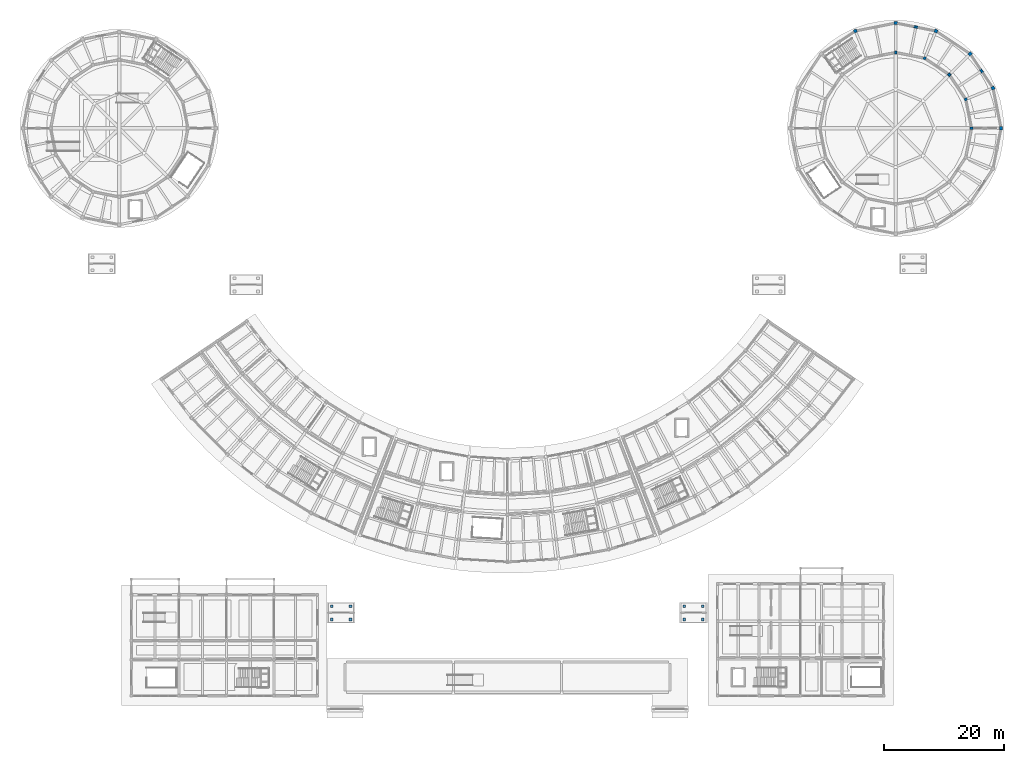
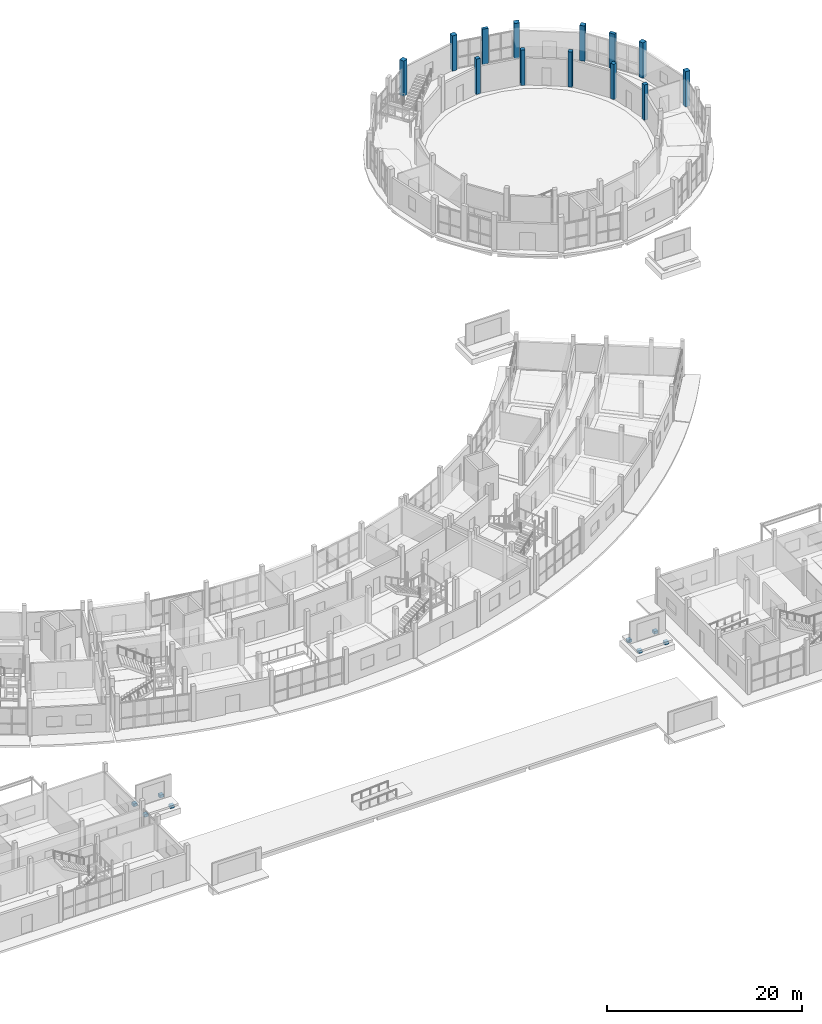
# One storey, part 21 of 92: 21 columns.
"""IFC4 building model written with IfcOpenShell, lengths in metres."""

from ifc_helpers import new_model, si_unit, direction, frame, origin, origin_2d, place, context, subcontext, project, spatial, rectangle, extrude, material, material_profile, profile_set, type_object, element, save


model = new_model("IFC4")

# Units and contexts
model_context = context("Model", 3, precision=1e-05, world=origin(), true_north=direction((0.0, 1.0)))
body_context = subcontext(model_context, "Body", "Model", "MODEL_VIEW")
ifc_project = project(units=[si_unit("LENGTHUNIT", "METRE"), si_unit("AREAUNIT", "SQUARE_METRE"), si_unit("VOLUMEUNIT", "CUBIC_METRE"), si_unit("PLANEANGLEUNIT", "RADIAN"), si_unit("MASSUNIT", "GRAM", prefix="KILO")], contexts=[model_context])

# Site, building, storey
site_placement = place(None, origin())
site = spatial("IfcSite", under=ifc_project, at=site_placement, CompositionType="ELEMENT")
building_placement = place(site_placement, origin())
building = spatial("IfcBuilding", under=site, at=building_placement, Name="Caldaven Crescent School", CompositionType="ELEMENT")
storey_placement = place(building_placement, origin())
storey = spatial("IfcBuildingStorey", under=building, at=storey_placement, Name="L00", CompositionType="ELEMENT", Elevation=0.0)

# Columns
ifc_material_1 = material(Name="Glulam MLE24h (GL28h)", Category="wood")
ifc_material_profile_1 = material_profile(ifc_material_1, rectangle(XDim=0.449951171875, YDim=0.449951171875, at=origin_2d()), Name="MLE 450x450")
ifc_profile_set_1 = profile_set([ifc_material_profile_1], Name="Glulam MLE24h (GL28h)")
column_type_1 = type_object("IfcColumnType", Name="COL-GL45", PredefinedType="COLUMN", material=ifc_profile_set_1)
for number, where, z_axis, x_axis, name in (
    (1, (165.10009765625, 98.5, 0.0), (0.0, 0.0, 1.0), (1.0, 0.0, 0.0), "COL-V1-L00-GAL-00"),
    (2, (164.140869140625, 103.32177734375, 0.0), (0.0, 0.0, 1.0), (0.923879532511, 0.382683432365, 0.0), "COL-V1-L00-GAL-01"),
    (3, (161.409423828125, 107.409423828125, 0.0), (0.0, 0.0, 1.0), (0.707106781187, 0.707106781187, 0.0), "COL-V1-L00-GAL-02"),
    (4, (157.32177734375, 110.140869140625, 0.0), (0.0, 0.0, 1.0), (0.382683432365, 0.923879532511, 0.0), "COL-V1-L00-GAL-03"),
    (5, (152.5, 111.10009765625, 0.0), (0.0, 0.0, 1.0), (0.0, 1.0, 0.0), "COL-V1-L00-GAL-04"),
):
    element("IfcColumn", number, at=place(storey_placement, frame(where, z_axis=z_axis, x_axis=x_axis)), inside=storey, type_object=column_type_1, Name=name, PredefinedType="COLUMN", context=body_context, shape_type="SweptSolid", body=[
        extrude(rectangle(XDim=0.449951171875, YDim=0.449951171875, at=origin_2d()), origin(), (0.0, 0.0, 1.0), 4.419921875),
    ])
ifc_material_2 = material(Name="Concrete C35/45", Category="concrete")
ifc_material_profile_2 = material_profile(ifc_material_2, rectangle(XDim=0.449951171875, YDim=0.449951171875, at=origin_2d()), Name="RC 450x450")
ifc_profile_set_2 = profile_set([ifc_material_profile_2], Name="Concrete C35/45")
column_type_2 = type_object("IfcColumnType", Name="COL-RC45", PredefinedType="COLUMN", material=ifc_profile_set_2)
for number, where, z_axis, x_axis, name in (
    (6, (58.800048828125, 16.89990234375, -0.590087890625), (0.0, 0.0, 1.0), (1.0, 0.0, 0.0), "COL-GATE-CG3-1"),
    (7, (61.89990234375, 16.89990234375, -0.590087890625), (0.0, 0.0, 1.0), (1.0, 0.0, 0.0), "COL-GATE-CG3-2"),
    (8, (61.89990234375, 19.10009765625, -0.590087890625), (0.0, 0.0, 1.0), (1.0, 0.0, 0.0), "COL-GATE-CG3-3"),
    (9, (58.800048828125, 19.10009765625, -0.590087890625), (0.0, 0.0, 1.0), (1.0, 0.0, 0.0), "COL-GATE-CG3-4"),
    (10, (117.35009765625, 16.89990234375, -0.590087890625), (0.0, 0.0, 1.0), (1.0, 0.0, 0.0), "COL-GATE-CG4-1"),
    (11, (120.449951171875, 16.89990234375, -0.590087890625), (0.0, 0.0, 1.0), (1.0, 0.0, 0.0), "COL-GATE-CG4-2"),
    (12, (120.449951171875, 19.10009765625, -0.590087890625), (0.0, 0.0, 1.0), (1.0, 0.0, 0.0), "COL-GATE-CG4-3"),
    (13, (117.35009765625, 19.10009765625, -0.590087890625), (0.0, 0.0, 1.0), (1.0, 0.0, 0.0), "COL-GATE-CG4-4"),
):
    element("IfcColumn", number, at=place(storey_placement, frame(where, z_axis=z_axis, x_axis=x_axis)), inside=storey, type_object=column_type_2, Name=name, PredefinedType="COLUMN", context=body_context, shape_type="SweptSolid", body=[
        extrude(rectangle(XDim=0.449951171875, YDim=0.449951171875, at=origin_2d()), origin(), (0.0, 0.0, 1.0), 0.35009765625),
    ])
ifc_material_profile_3 = material_profile(ifc_material_2, rectangle(XDim=0.550048828125, YDim=0.550048828125, at=origin_2d()), Name="RC 550x550")
ifc_profile_set_3 = profile_set([ifc_material_profile_3], Name="Concrete C35/45")
column_type_3 = type_object("IfcColumnType", Name="COL-RC55", PredefinedType="COLUMN", material=ifc_profile_set_3)
for number, where, z_axis, x_axis, name in (
    (14, (170.0, 98.5, 0.0), (0.0, 0.0, 1.0), (1.0, 0.0, 0.0), "COL-V1-L00-OUT-00"),
    (15, (168.66796875, 105.197021484375, 0.0), (0.0, 0.0, 1.0), (0.923879532511, 0.382683432365, 0.0), "COL-V1-L00-OUT-01"),
    (16, (164.874267578125, 110.874267578125, 0.0), (0.0, 0.0, 1.0), (0.707106781187, 0.707106781187, 0.0), "COL-V1-L00-OUT-02"),
    (17, (159.197021484375, 114.66796875, 0.0), (0.0, 0.0, 1.0), (0.382683432365, 0.923879532511, 0.0), "COL-V1-L00-OUT-03"),
    (18, (152.5, 116.0, 0.0), (0.0, 0.0, 1.0), (0.0, 1.0, 0.0), "COL-V1-L00-OUT-04"),
    (19, (145.802978515625, 114.66796875, 0.0), (0.0, 0.0, 1.0), (-0.382683432365, 0.923879532511, 0.0), "COL-V1-L00-OUT-05"),
):
    element("IfcColumn", number, at=place(storey_placement, frame(where, z_axis=z_axis, x_axis=x_axis)), inside=storey, type_object=column_type_3, Name=name, PredefinedType="COLUMN", context=body_context, shape_type="SweptSolid", body=[
        extrude(rectangle(XDim=0.550048828125, YDim=0.550048828125, at=origin_2d()), origin(), (0.0, 0.0, 1.0), 4.419921875),
    ])
ifc_material_3 = material(Name="Concrete C30/37", Category="concrete")
ifc_material_profile_4 = material_profile(ifc_material_3, rectangle(XDim=0.35009765625, YDim=0.64990234375, at=origin_2d()), Name="RC 350x650")
ifc_profile_set_4 = profile_set([ifc_material_profile_4], Name="Concrete C30/37")
column_type_4 = type_object("IfcColumnType", Name="PIL-RC35", PredefinedType="PILASTER", material=ifc_profile_set_4)
for number, where, z_axis, x_axis, name in (
    (20, (166.771240234375, 108.03564453125, 0.0), (0.0, 0.0, 1.0), (0.831469612303, 0.55557023302, 0.0), "PIL-V1-L00-00"),
    (21, (155.848388671875, 115.333984375, 0.0), (0.0, 0.0, 1.0), (0.195090322016, 0.980785280403, 0.0), "PIL-V1-L00-01"),
):
    element("IfcColumn", number, at=place(storey_placement, frame(where, z_axis=z_axis, x_axis=x_axis)), inside=storey, type_object=column_type_4, Name=name, PredefinedType="PILASTER", context=body_context, shape_type="SweptSolid", body=[
        extrude(rectangle(XDim=0.35009765625, YDim=0.64990234375, at=origin_2d()), origin(), (0.0, 0.0, 1.0), 4.419921875),
    ])

save(model, "model.ifc")
